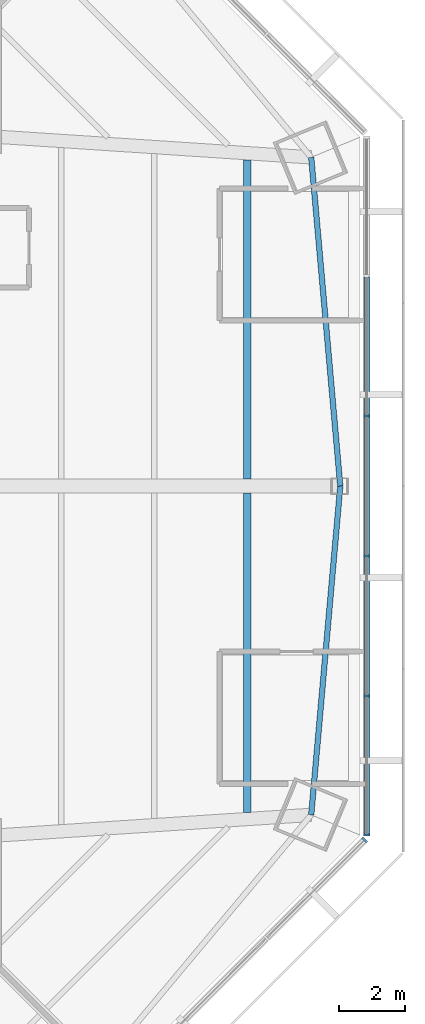
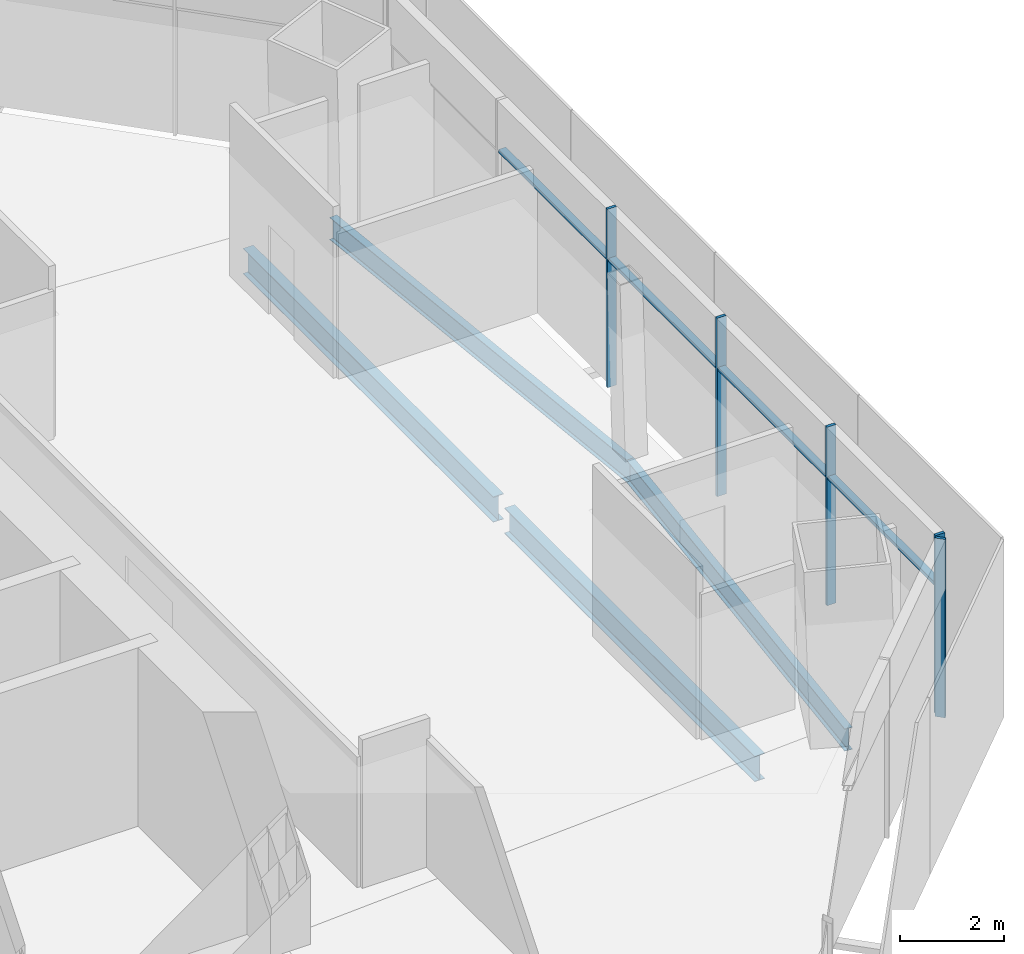
# One storey, part 5 of 18: 9 members, 4 beams, 2 elements without a shape of their own.
"""IFC4 building model written with IfcOpenShell, lengths in metres."""

from ifc_helpers import new_model, si_unit, direction, frame, origin, origin_2d, place, context, subcontext, project, spatial, rectangle, i_section, extrude, source, transform, mapped, material, material_profile, profile_set, type_object, type_shapes, element, aggregate, save


model = new_model("IFC4")

# Units and contexts
model_context = context("Model", 3, precision=1e-05, world=origin(), true_north=direction((0.0, 1.0)))
body_context = subcontext(model_context, "Body", "Model", "MODEL_VIEW")
ifc_project = project(units=[si_unit("LENGTHUNIT", "METRE"), si_unit("AREAUNIT", "SQUARE_METRE"), si_unit("VOLUMEUNIT", "CUBIC_METRE"), si_unit("PLANEANGLEUNIT", "RADIAN"), si_unit("MASSUNIT", "GRAM", prefix="KILO")], contexts=[model_context])

# Site, building, storey
site_placement = place(None, origin())
site = spatial("IfcSite", under=ifc_project, at=site_placement, CompositionType="ELEMENT")
building_placement = place(site_placement, origin())
building = spatial("IfcBuilding", under=site, at=building_placement, Name="Mashrafa Tower", CompositionType="ELEMENT")
storey_placement = place(building_placement, frame((0.0, 0.0, 83.39990234375)))
storey = spatial("IfcBuildingStorey", under=building, at=storey_placement, Name="L18", CompositionType="ELEMENT", Elevation=83.39990234375)

# Beams
ifc_material_1 = material(Name="Steel ASTM A992", Category="steel")
ifc_material_profile_1 = material_profile(ifc_material_1, i_section(OverallWidth=0.165771484375, OverallDepth=0.5283203125, WebThickness=0.009765625, FlangeThickness=0.013671875, FilletRadius=0.012939453125, at=origin_2d()), Name="W21X50")
ifc_profile_set_1 = profile_set([ifc_material_profile_1], Name="Steel ASTM A992")
beam_type_1 = type_object("IfcBeamType", Name="Beam W21X50", PredefinedType="BEAM", material=ifc_profile_set_1)
for number, where, z_axis, x_axis, name in (
    (1, (23.98193359375, -9.93359375, -0.428955078125), (0.088060999722, 0.996115083877, 0.0), (-0.996115083877, 0.088060999722, 0.0), "Spandrel beam L18 086"),
    (2, (24.860107421875, 0.0, -0.428955078125), (-0.088060999722, 0.996115083877, 0.0), (-0.996115083877, -0.088060999722, 0.0), "Spandrel beam L18 088"),
):
    element("IfcBeam", number, at=place(storey_placement, frame(where, z_axis=z_axis, x_axis=x_axis)), inside=storey, type_object=beam_type_1, Name=name, PredefinedType="BEAM", context=body_context, shape_type="SweptSolid", body=[
        extrude(i_section(OverallWidth=0.165771484375, OverallDepth=0.5283203125, WebThickness=0.009765625, FlangeThickness=0.013671875, FilletRadius=0.012939453125, at=origin_2d()), origin(), (0.0, 0.0, 1.0), 9.972412109375),
    ])
ifc_material_2 = material(Name="Steel ASTM A992", Category="steel")
ifc_material_profile_2 = material_profile(ifc_material_2, i_section(OverallWidth=0.227783203125, OverallDepth=0.60205078125, WebThickness=0.010498046875, FlangeThickness=0.014892578125, FilletRadius=0.012939453125, at=origin_2d()), Name="W24X68")
ifc_profile_set_2 = profile_set([ifc_material_profile_2], Name="Steel ASTM A992")
beam_type_2 = type_object("IfcBeamType", Name="Beam W24X68", PredefinedType="BEAM", material=ifc_profile_set_2)
for number, where, z_axis, x_axis, name in (
    (3, (22.048095703125, -0.212158203125, -0.4658203125), (0.0, -1.0, 0.0), (1.0, 0.0, 0.0), "Floor beam L18 055"),
    (4, (22.048095703125, 9.859619140625, -0.4658203125), (0.0, -1.0, 0.0), (1.0, 0.0, 0.0), "Floor beam L18 056"),
):
    element("IfcBeam", number, at=place(storey_placement, frame(where, z_axis=z_axis, x_axis=x_axis)), inside=storey, type_object=beam_type_2, Name=name, PredefinedType="BEAM", context=body_context, shape_type="SweptSolid", body=[
        extrude(i_section(OverallWidth=0.227783203125, OverallDepth=0.60205078125, WebThickness=0.010498046875, FlangeThickness=0.014892578125, FilletRadius=0.012939453125, at=origin_2d()), origin(), (0.0, 0.0, 1.0), 9.6474609375),
    ])

# Curtain wall, members
ifc_material_3 = material(Name="Unitised aluminium curtain wall", Category="aluminium")
curtain_wall_type = type_object("IfcCurtainWallType", Name="Office curtain wall, zone 1 CW-A 200 deep", PredefinedType="NOTDEFINED", material=ifc_material_3)
curtain_wall_1_placement = place(storey_placement, origin())
curtain_wall_1 = element("IfcCurtainWall", 5, at=curtain_wall_1_placement, inside=storey, type_object=curtain_wall_type, Name="Office curtain wall, zone 1 L18 east", PredefinedType="NOTDEFINED")
ifc_material_4 = material(Name="Extruded aluminium mullion", Category="aluminium")
ifc_material_profile_3 = material_profile(ifc_material_4, rectangle(XDim=0.199951171875, YDim=0.06494140625, at=origin_2d()), Name="Mullion 65x200")
ifc_profile_set_3 = profile_set([ifc_material_profile_3], Name="Extruded aluminium mullion")
member_type_1 = type_object("IfcMemberType", Name="Mullion CW-A 65 x 200", PredefinedType="MULLION", material=ifc_profile_set_3)
shared_shape_1 = source(origin(), body_context, "Body", "SweptSolid", [
    extrude(rectangle(XDim=0.199951171875, YDim=0.06494140625, at=origin_2d()), origin(), (0.0, 0.0, 1.0), 4.2001953125),
])
type_shapes(member_type_1, [shared_shape_1])
member_1_placement = place(storey_placement, frame((25.655517578125, -10.54296875, 0.0), z_axis=(0.0, 0.0, 1.0), x_axis=(-1.0, 0.0, 0.0)))
member_1 = element("IfcMember", 6, at=member_1_placement, type_object=member_type_1, Name="CW-A mullion 1", PredefinedType="MULLION", context=body_context, shape_type="MappedRepresentation", body=[
    mapped(shared_shape_1, transform((0.0, 0.0, 0.0))),
])
member_2_placement = place(storey_placement, frame((25.655517578125, -6.34521484375, 0.0), z_axis=(0.0, 0.0, 1.0), x_axis=(-1.0, 0.0, 0.0)))
member_2 = element("IfcMember", 7, at=member_2_placement, type_object=member_type_1, Name="CW-A mullion 2", PredefinedType="MULLION", context=body_context, shape_type="MappedRepresentation", body=[
    mapped(shared_shape_1, transform((0.0, 0.0, 0.0))),
])
member_3_placement = place(storey_placement, frame((25.655517578125, -2.114990234375, 0.0), z_axis=(0.0, 0.0, 1.0), x_axis=(-1.0, 0.0, 0.0)))
member_3 = element("IfcMember", 8, at=member_3_placement, type_object=member_type_1, Name="CW-A mullion 3", PredefinedType="MULLION", context=body_context, shape_type="MappedRepresentation", body=[
    mapped(shared_shape_1, transform((0.0, 0.0, 0.0))),
])
member_4_placement = place(storey_placement, frame((25.655517578125, 2.114990234375, 0.0), z_axis=(0.0, 0.0, 1.0), x_axis=(-1.0, 0.0, 0.0)))
member_4 = element("IfcMember", 9, at=member_4_placement, type_object=member_type_1, Name="CW-A mullion 4", PredefinedType="MULLION", context=body_context, shape_type="MappedRepresentation", body=[
    mapped(shared_shape_1, transform((0.0, 0.0, 0.0))),
])

# Curtain wall, member
curtain_wall_2_placement = place(storey_placement, origin())
curtain_wall_2 = element("IfcCurtainWall", 10, at=curtain_wall_2_placement, inside=storey, type_object=curtain_wall_type, Name="Office curtain wall, zone 1 L18 south-east", PredefinedType="NOTDEFINED")
member_5_placement = place(storey_placement, frame((25.59619140625, -10.686279296875, 0.0), z_axis=(0.0, 0.0, 1.0), x_axis=(-0.707106781187, 0.707106781187, 0.0)))
member_5 = element("IfcMember", 11, at=member_5_placement, type_object=member_type_1, Name="CW-A mullion 6", PredefinedType="MULLION", context=body_context, shape_type="MappedRepresentation", body=[
    mapped(shared_shape_1, transform((0.0, 0.0, 0.0))),
])
aggregate(curtain_wall_2, [member_5])

# Member
ifc_material_5 = material(Name="Extruded aluminium transom", Category="aluminium")
ifc_material_profile_4 = material_profile(ifc_material_5, rectangle(XDim=0.159912109375, YDim=0.080078125, at=origin_2d()), Name="Transom 80x160")
ifc_profile_set_4 = profile_set([ifc_material_profile_4], Name="Extruded aluminium transom")
member_type_2 = type_object("IfcMemberType", Name="Transom CW-A 80 x 160", PredefinedType="MULLION", material=ifc_profile_set_4)
shared_shape_2 = source(origin(), body_context, "Body", "SweptSolid", [
    extrude(rectangle(XDim=0.159912109375, YDim=0.080078125, at=origin_2d()), origin(), (0.0, 0.0, 1.0), 4.1328125),
])
member_6_placement = place(storey_placement, frame((25.655517578125, -10.510498046875, 3.0), z_axis=(0.0, 1.0, 0.0), x_axis=(-1.0, 0.0, 0.0)))
member_6 = element("IfcMember", 12, at=member_6_placement, type_object=member_type_2, Name="CW-A transom 1", PredefinedType="MULLION", context=body_context, shape_type="MappedRepresentation", body=[
    mapped(shared_shape_2, transform((0.0, 0.0, 0.0))),
])

shared_shape_3 = source(origin(), body_context, "Body", "SweptSolid", [
    extrude(rectangle(XDim=0.159912109375, YDim=0.080078125, at=origin_2d()), origin(), (0.0, 0.0, 1.0), 4.165283203125),
])
member_7_placement = place(storey_placement, frame((25.655517578125, -6.312744140625, 3.0), z_axis=(0.0, 1.0, 0.0), x_axis=(-1.0, 0.0, 0.0)))
member_7 = element("IfcMember", 13, at=member_7_placement, type_object=member_type_2, Name="CW-A transom 2", PredefinedType="MULLION", context=body_context, shape_type="MappedRepresentation", body=[
    mapped(shared_shape_3, transform((0.0, 0.0, 0.0))),
])

member_8_placement = place(storey_placement, frame((25.655517578125, 2.1474609375, 3.0), z_axis=(0.0, 1.0, 0.0), x_axis=(-1.0, 0.0, 0.0)))
member_8 = element("IfcMember", 14, at=member_8_placement, type_object=member_type_2, Name="CW-A transom 4", PredefinedType="MULLION", context=body_context, shape_type="MappedRepresentation", body=[
    mapped(shared_shape_3, transform((0.0, 0.0, 0.0))),
])

shared_shape_4 = source(origin(), body_context, "Body", "SweptSolid", [
    extrude(rectangle(XDim=0.159912109375, YDim=0.080078125, at=origin_2d()), origin(), (0.0, 0.0, 1.0), 4.1650390625),
])
type_shapes(member_type_2, [shared_shape_2, shared_shape_3, shared_shape_4])
member_9_placement = place(storey_placement, frame((25.655517578125, -2.08251953125, 3.0), z_axis=(0.0, 1.0, 0.0), x_axis=(-1.0, 0.0, 0.0)))
member_9 = element("IfcMember", 15, at=member_9_placement, type_object=member_type_2, Name="CW-A transom 3", PredefinedType="MULLION", context=body_context, shape_type="MappedRepresentation", body=[
    mapped(shared_shape_4, transform((0.0, 0.0, 0.0))),
])

aggregate(curtain_wall_1, [member_1, member_2, member_3, member_4, member_6, member_7, member_9, member_8])

save(model, "model.ifc")
